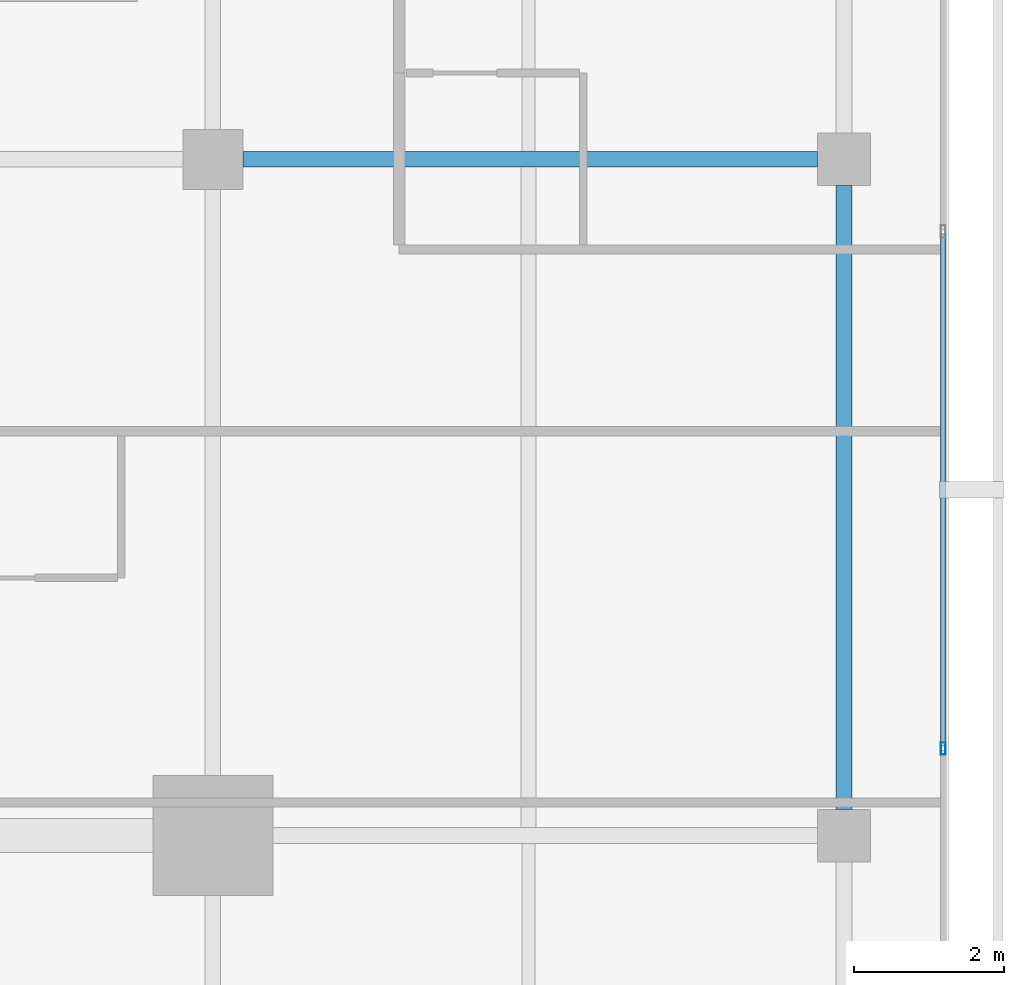
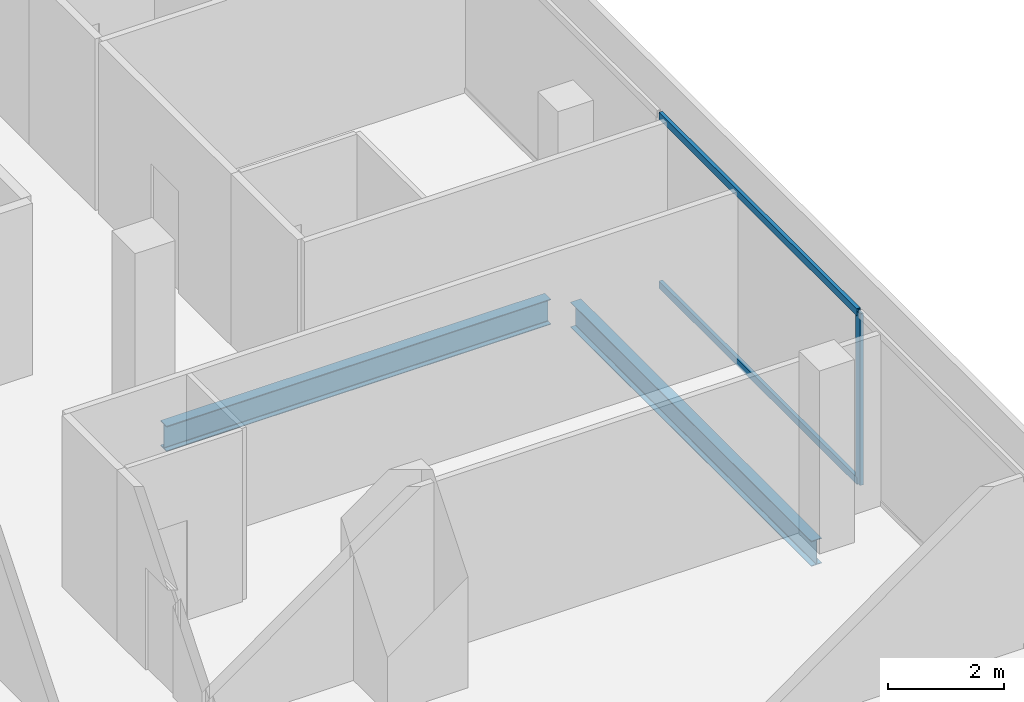
# One storey, part 14 of 26: 3 members, 2 beams, 1 element without a shape of its own.
"""IFC4 building model written with IfcOpenShell, lengths in metres."""

from ifc_helpers import new_model, si_unit, direction, frame, origin, origin_2d, place, context, subcontext, project, spatial, hollow_rectangle, i_section, extrude, material, layer, layer_set, material_profile, profile_set, type_object, element, aggregate, save


model = new_model("IFC4")

# Units and contexts
model_context = context("Model", 3, precision=1e-05, world=origin(), true_north=direction((0.0, 1.0)))
body_context = subcontext(model_context, "Body", "Model", "MODEL_VIEW")
ifc_project = project(units=[si_unit("LENGTHUNIT", "METRE"), si_unit("AREAUNIT", "SQUARE_METRE"), si_unit("VOLUMEUNIT", "CUBIC_METRE"), si_unit("PLANEANGLEUNIT", "RADIAN"), si_unit("MASSUNIT", "GRAM", prefix="KILO")], contexts=[model_context])

# Site, building, storey
site_placement = place(None, origin())
site = spatial("IfcSite", under=ifc_project, at=site_placement, CompositionType="ELEMENT")
building_placement = place(site_placement, origin())
building = spatial("IfcBuilding", under=site, at=building_placement, Name="Maruvema Waterfront Hotel and Observation Tower", CompositionType="ELEMENT")
storey_placement = place(building_placement, frame((0.0, 0.0, 258.64990234375)))
storey = spatial("IfcBuildingStorey", under=building, at=storey_placement, Name="L63", CompositionType="ELEMENT", Elevation=258.64990234375)

# Curtain wall, members
ifc_material_1 = material(Name="Anodised bronze aluminium and solar-control low-E IGU", Category="aluminium")
ifc_layer = layer(ifc_material_1, 0.159912109375, Name="Zone 3 Champagne Inner Thermal Curtain Wall System CW-04")
ifc_layer_set = layer_set([ifc_layer], Name="Anodised bronze aluminium and solar-control low-E IGU")
curtain_wall_type = type_object("IfcCurtainWallType", Name="Zone 3 Champagne Inner Thermal Curtain Wall System CW-04", PredefinedType="USERDEFINED", material=ifc_layer_set)
curtain_wall_placement = place(storey_placement, origin())
curtain_wall = element("IfcCurtainWall", 1, at=curtain_wall_placement, inside=storey, type_object=curtain_wall_type, Name="L63 Curtain Wall CW-L63-E", ObjectType="UNITISED CURTAIN WALL", PredefinedType="USERDEFINED")
ifc_material_2 = material(Name="Anodised architectural bronze aluminium", Category="aluminium")
ifc_material_profile_1 = material_profile(ifc_material_2, hollow_rectangle(XDim=0.070068359375, YDim=0.14990234375, WallThickness=0.00390625, at=origin_2d()), Name="ALU-T70x150")
ifc_profile_set_1 = profile_set([ifc_material_profile_1], Name="Anodised architectural bronze aluminium")
member_type_1 = type_object("IfcMemberType", Name="Curtain Wall Horizontal Transom ALU-T70x150", PredefinedType="USERDEFINED", material=ifc_profile_set_1)
member_1_placement = place(storey_placement, frame((60.1201171875, 28.18994140625, 0.030029296875), z_axis=(0.0, 1.0, 0.0), x_axis=(-1.0, 0.0, 0.0)))
member_1 = element("IfcMember", 2, at=member_1_placement, type_object=member_type_1, Name="CW-04 transom 3.1", ObjectType="TRANSOM", PredefinedType="USERDEFINED", context=body_context, shape_type="SweptSolid", body=[
    extrude(hollow_rectangle(XDim=0.070068359375, YDim=0.14990234375, WallThickness=0.00390625, at=origin_2d()), origin(), (0.0, 0.0, 1.0), 6.820068359375),
])
member_2_placement = place(storey_placement, frame((60.1201171875, 28.18994140625, 3.580078125), z_axis=(0.0, 1.0, 0.0), x_axis=(-1.0, 0.0, 0.0)))
member_2 = element("IfcMember", 3, at=member_2_placement, type_object=member_type_1, Name="CW-04 transom 3.2", ObjectType="TRANSOM", PredefinedType="USERDEFINED", context=body_context, shape_type="SweptSolid", body=[
    extrude(hollow_rectangle(XDim=0.070068359375, YDim=0.14990234375, WallThickness=0.00390625, at=origin_2d()), origin(), (0.0, 0.0, 1.0), 6.820068359375),
])
ifc_material_3 = material(Name="Anodised architectural bronze aluminium", Category="aluminium")
ifc_material_profile_2 = material_profile(ifc_material_3, hollow_rectangle(XDim=0.06494140625, YDim=0.1650390625, WallThickness=0.00390625, at=origin_2d()), Name="ALU-M65x165")
ifc_profile_set_2 = profile_set([ifc_material_profile_2], Name="Anodised architectural bronze aluminium")
member_type_2 = type_object("IfcMemberType", Name="Curtain Wall Primary Mullion ALU-M65x165", PredefinedType="MULLION", material=ifc_profile_set_2)
member_3_placement = place(storey_placement, frame((60.1201171875, 28.159912109375, 0.0), z_axis=(0.0, 0.0, 1.0), x_axis=(-1.0, 0.0, 0.0)))
member_3 = element("IfcMember", 4, at=member_3_placement, type_object=member_type_2, Name="CW-04 mullion 3", PredefinedType="MULLION", context=body_context, shape_type="SweptSolid", body=[
    extrude(hollow_rectangle(XDim=0.06494140625, YDim=0.1650390625, WallThickness=0.00390625, at=origin_2d()), origin(), (0.0, 0.0, 1.0), 3.610107421875),
])
aggregate(curtain_wall, [member_3, member_1, member_2])

# Beams
ifc_material_4 = material(Name="Steel ASTM A572 Grade 50", Category="steel")
ifc_material_profile_3 = material_profile(ifc_material_4, i_section(OverallWidth=0.208984375, OverallDepth=0.532958984375, WebThickness=0.01025390625, FlangeThickness=0.015625, FilletRadius=0.014892578125, at=origin_2d()), Name="W530x92.0")
ifc_profile_set_3 = profile_set([ifc_material_profile_3], Name="Steel ASTM A572 Grade 50")
beam_type = type_object("IfcBeamType", Name="Primary Floor Girder W530x92.0", PredefinedType="BEAM", material=ifc_profile_set_3)
beam_1_placement = place(storey_placement, frame((50.800048828125, 36.0, -0.50634765625), z_axis=(1.0, 0.0, 0.0), x_axis=(0.0, 1.0, 0.0)))
element("IfcBeam", 5, at=beam_1_placement, inside=storey, type_object=beam_type, Name="L63 Floor Girder EW-16", PredefinedType="BEAM", context=body_context, shape_type="SweptSolid", body=[
    extrude(i_section(OverallWidth=0.208984375, OverallDepth=0.532958984375, WebThickness=0.01025390625, FlangeThickness=0.015625, FilletRadius=0.014892578125, at=origin_2d()), origin(), (0.0, 0.0, 1.0), 7.64990234375),
])
beam_2_placement = place(storey_placement, frame((58.800048828125, 27.35009765625, -0.50634765625), z_axis=(0.0, 1.0, 0.0), x_axis=(-1.0, 0.0, 0.0)))
element("IfcBeam", 6, at=beam_2_placement, inside=storey, type_object=beam_type, Name="L63 Floor Girder NS-17", PredefinedType="BEAM", context=body_context, shape_type="SweptSolid", body=[
    extrude(i_section(OverallWidth=0.208984375, OverallDepth=0.532958984375, WebThickness=0.01025390625, FlangeThickness=0.015625, FilletRadius=0.014892578125, at=origin_2d()), origin(), (0.0, 0.0, 1.0), 8.2998046875),
])

save(model, "model.ifc")
